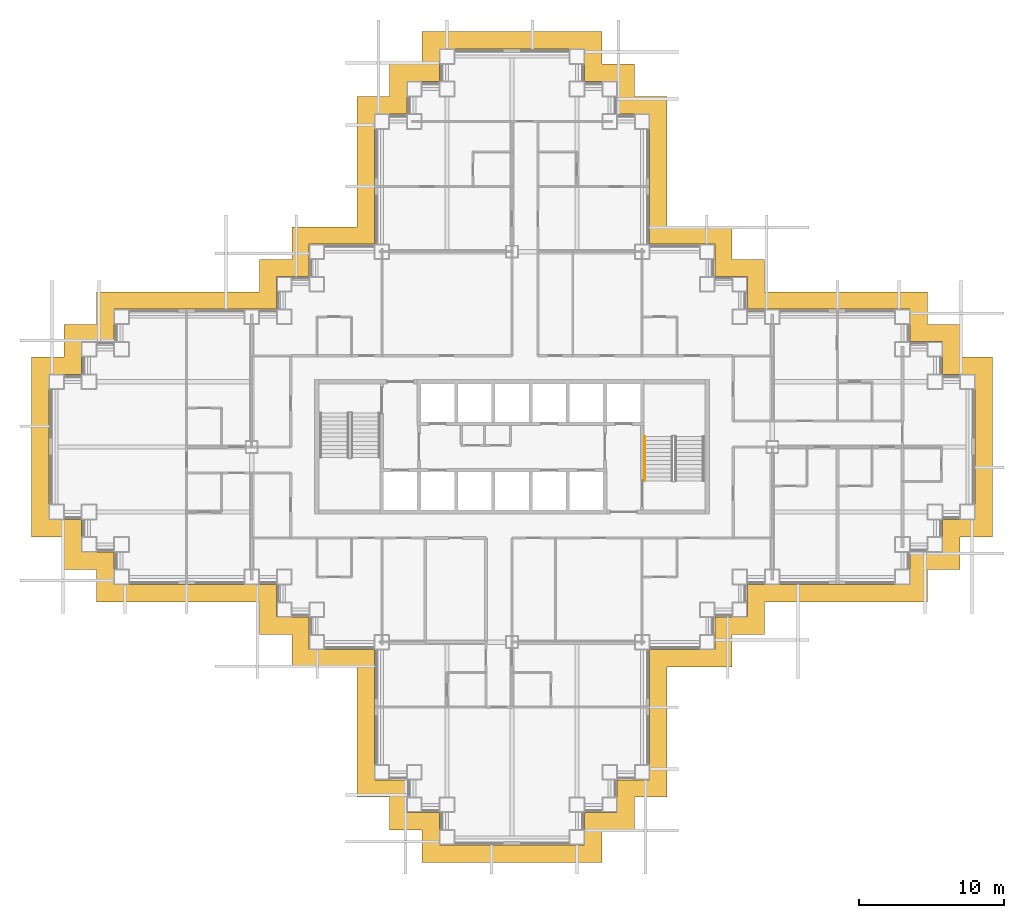
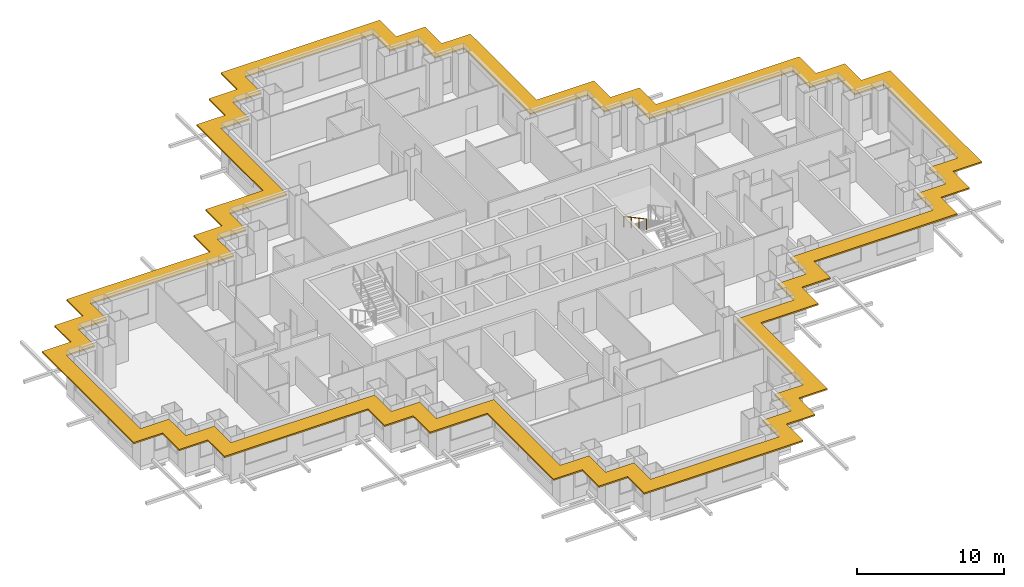
# One storey, part 14 of 15: 1 railing, 1 shading device.
"""IFC4 building model written with IfcOpenShell, lengths in metres."""

from ifc_helpers import new_model, si_unit, direction, frame, origin, origin_2d, place, context, subcontext, project, spatial, polyline, circle, outline, extrude, material, layer, layer_set, type_object, element, save


model = new_model("IFC4")

# Units and contexts
model_context = context("Model", 3, precision=1e-05, world=origin(), true_north=direction((0.0, 1.0)))
body_context = subcontext(model_context, "Body", "Model", "MODEL_VIEW")
ifc_project = project(units=[si_unit("LENGTHUNIT", "METRE"), si_unit("AREAUNIT", "SQUARE_METRE"), si_unit("VOLUMEUNIT", "CUBIC_METRE"), si_unit("PLANEANGLEUNIT", "RADIAN"), si_unit("MASSUNIT", "GRAM", prefix="KILO")], contexts=[model_context])

# Site, building, storey
site_placement = place(None, origin())
site = spatial("IfcSite", under=ifc_project, at=site_placement, CompositionType="ELEMENT")
building_placement = place(site_placement, origin())
building = spatial("IfcBuilding", under=site, at=building_placement, Name="Caravel Reach Hotel and Residences", CompositionType="ELEMENT")
storey_placement = place(building_placement, frame((0.0, 0.0, 44.39990234375)))
storey = spatial("IfcBuildingStorey", under=building, at=storey_placement, Name="L09", CompositionType="ELEMENT", Elevation=44.39990234375)

# Railing
ifc_material_1 = material(Name="Stainless steel handrail", Category="steel")
railing_type = type_object("IfcRailingType", Name="Handrail 900", PredefinedType="HANDRAIL", material=ifc_material_1)
railing_placement = place(storey_placement, frame((40.675048828125, 27.72998046875, 1.9501953125)))
element("IfcRailing", 1, at=railing_placement, inside=storey, type_object=railing_type, Name="L09 ST-B stair handrail 2", PredefinedType="HANDRAIL", context=body_context, shape_type="SweptSolid", body=[
    extrude(circle(Radius=0.02392578125, at=origin_2d()), frame((0.0, 0.0, 0.8759765625), z_axis=(0.0, -0.881496589024, 0.472190389079), x_axis=(1.0, 0.0, 0.0)), (0.0, 0.0, 1.0), 3.494140625),
    extrude(circle(Radius=0.02099609375, at=origin_2d()), origin(), (0.0, 0.0, 1.0), 0.851806640625),
    extrude(circle(Radius=0.02099609375, at=origin_2d()), frame((0.0, -1.026611328125, 0.550048828125)), (0.0, 0.0, 1.0), 0.851806640625),
    extrude(circle(Radius=0.02099609375, at=origin_2d()), frame((0.0, -2.053466796875, 1.099853515625)), (0.0, 0.0, 1.0), 0.851806640625),
    extrude(circle(Radius=0.02099609375, at=origin_2d()), frame((0.0, -3.080078125, 1.64990234375)), (0.0, 0.0, 1.0), 0.851806640625),
])

# Shading device
ifc_material_2 = material(Name="Black powder-coated aluminium", Category="aluminium")
ifc_layer = layer(ifc_material_2, 0.1201171875)
ifc_layer_set = layer_set([ifc_layer], Name="SS1 Sunshade band 1200")
shading_device_type = type_object("IfcShadingDeviceType", Name="SS1 Sunshade band 1200", PredefinedType="USERDEFINED", material=ifc_layer_set)
shading_device_placement = place(storey_placement, frame((0.0, 0.0, 3.0400390625)))
element("IfcShadingDevice", 2, at=shading_device_placement, inside=storey, type_object=shading_device_type, Name="Sunshade L09 1", ObjectType="SUNSHADE", PredefinedType="USERDEFINED", context=body_context, shape_type="SweptSolid", body=[
    extrude(outline(polyline([(20.77490234375, 11.77490234375), (20.77490234375, 2.77490234375), (23.02490234375, 2.77490234375), (23.02490234375, 0.52490234375), (25.27490234375, 0.52490234375), (25.27490234375, -1.72509765625), (37.72509765625, -1.72509765625), (37.72509765625, 0.52490234375), (39.97509765625, 0.52490234375), (39.97509765625, 2.77490234375), (42.22509765625, 2.77490234375), (42.22509765625, 11.77490234375), (46.72509765625, 11.77490234375), (46.72509765625, 14.02490234375), (48.97509765625, 14.02490234375), (48.97509765625, 16.27490234375), (60.22509765625, 16.27490234375), (60.22509765625, 18.52490234375), (62.47509765625, 18.52490234375), (62.47509765625, 20.77490234375), (64.72509765625, 20.77490234375), (64.72509765625, 33.22509765625), (62.47509765625, 33.22509765625), (62.47509765625, 35.47509765625), (60.22509765625, 35.47509765625), (60.22509765625, 37.72509765625), (48.97509765625, 37.72509765625), (48.97509765625, 39.97509765625), (46.72509765625, 39.97509765625), (46.72509765625, 42.22509765625), (42.22509765625, 42.22509765625), (42.22509765625, 51.22509765625), (39.97509765625, 51.22509765625), (39.97509765625, 53.47509765625), (37.72509765625, 53.47509765625), (37.72509765625, 55.72509765625), (25.27490234375, 55.72509765625), (25.27490234375, 53.47509765625), (23.02490234375, 53.47509765625), (23.02490234375, 51.22509765625), (20.77490234375, 51.22509765625), (20.77490234375, 42.22509765625), (16.27490234375, 42.22509765625), (16.27490234375, 39.97509765625), (14.02490234375, 39.97509765625), (14.02490234375, 37.72509765625), (2.77490234375, 37.72509765625), (2.77490234375, 35.47509765625), (0.52490234375, 35.47509765625), (0.52490234375, 33.22509765625), (-1.72509765625, 33.22509765625), (-1.72509765625, 20.77490234375), (0.52490234375, 20.77490234375), (0.52490234375, 18.52490234375), (2.77490234375, 18.52490234375), (2.77490234375, 16.27490234375), (14.02490234375, 16.27490234375), (14.02490234375, 14.02490234375), (16.27490234375, 14.02490234375), (16.27490234375, 11.77490234375), (20.77490234375, 11.77490234375)]), holes=[polyline([(24.22509765625, 3.97509765625), (21.97509765625, 3.97509765625), (21.97509765625, 12.97509765625), (17.47509765625, 12.97509765625), (17.47509765625, 15.22509765625), (15.22509765625, 15.22509765625), (15.22509765625, 17.47509765625), (3.97509765625, 17.47509765625), (3.97509765625, 19.72509765625), (1.72509765625, 19.72509765625), (1.72509765625, 21.97509765625), (-0.52490234375, 21.97509765625), (-0.52490234375, 32.02490234375), (1.72509765625, 32.02490234375), (1.72509765625, 34.27490234375), (3.97509765625, 34.27490234375), (3.97509765625, 36.52490234375), (15.22509765625, 36.52490234375), (15.22509765625, 38.77490234375), (17.47509765625, 38.77490234375), (17.47509765625, 41.02490234375), (21.97509765625, 41.02490234375), (21.97509765625, 50.02490234375), (24.22509765625, 50.02490234375), (24.22509765625, 52.27490234375), (26.47509765625, 52.27490234375), (26.47509765625, 54.52490234375), (36.52490234375, 54.52490234375), (36.52490234375, 52.27490234375), (38.77490234375, 52.27490234375), (38.77490234375, 50.02490234375), (41.02490234375, 50.02490234375), (41.02490234375, 41.02490234375), (45.52490234375, 41.02490234375), (45.52490234375, 38.77490234375), (47.77490234375, 38.77490234375), (47.77490234375, 36.52490234375), (59.02490234375, 36.52490234375), (59.02490234375, 34.27490234375), (61.27490234375, 34.27490234375), (61.27490234375, 32.02490234375), (63.52490234375, 32.02490234375), (63.52490234375, 21.97509765625), (61.27490234375, 21.97509765625), (61.27490234375, 19.72509765625), (59.02490234375, 19.72509765625), (59.02490234375, 17.47509765625), (47.77490234375, 17.47509765625), (47.77490234375, 15.22509765625), (45.52490234375, 15.22509765625), (45.52490234375, 12.97509765625), (41.02490234375, 12.97509765625), (41.02490234375, 3.97509765625), (38.77490234375, 3.97509765625), (38.77490234375, 1.72509765625), (36.52490234375, 1.72509765625), (36.52490234375, -0.52490234375), (26.47509765625, -0.52490234375), (26.47509765625, 1.72509765625), (24.22509765625, 1.72509765625), (24.22509765625, 3.97509765625)])]), origin(), (0.0, 0.0, 1.0), 0.1201171875),
])

save(model, "model.ifc")
